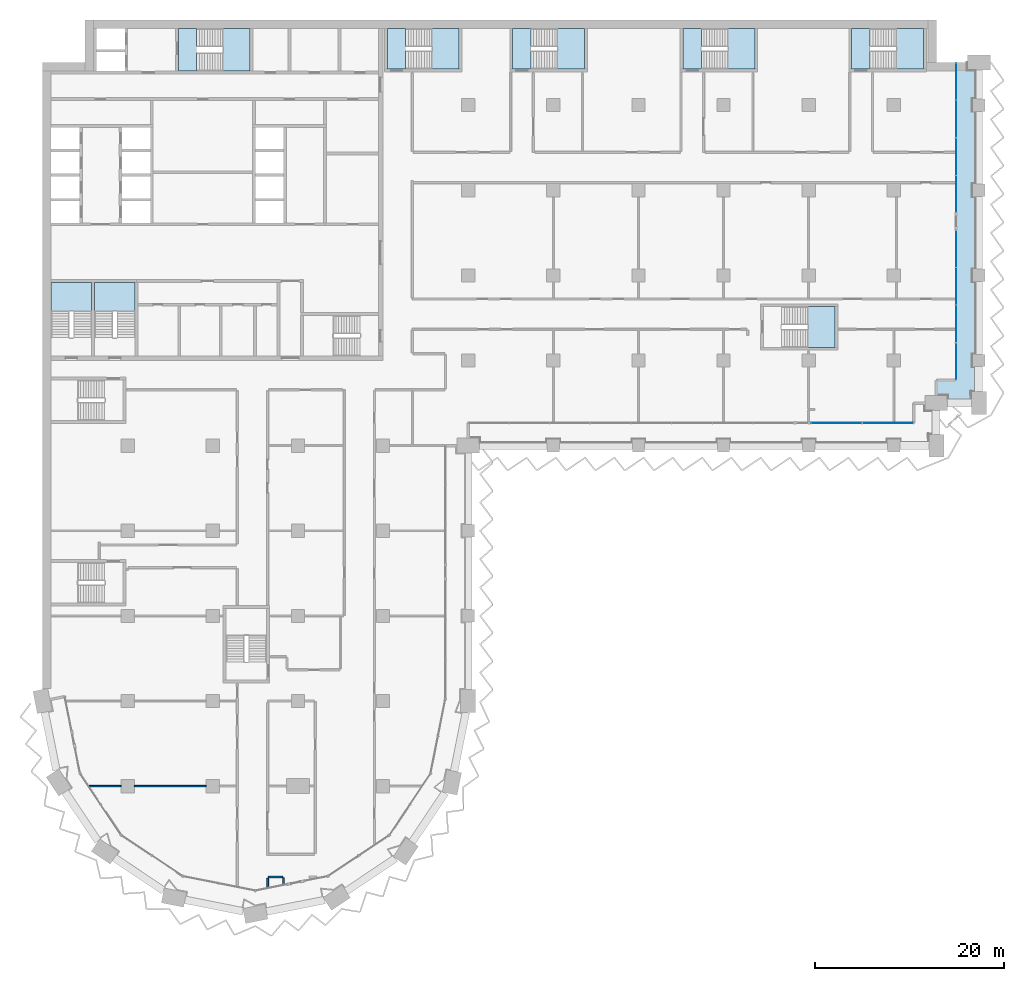
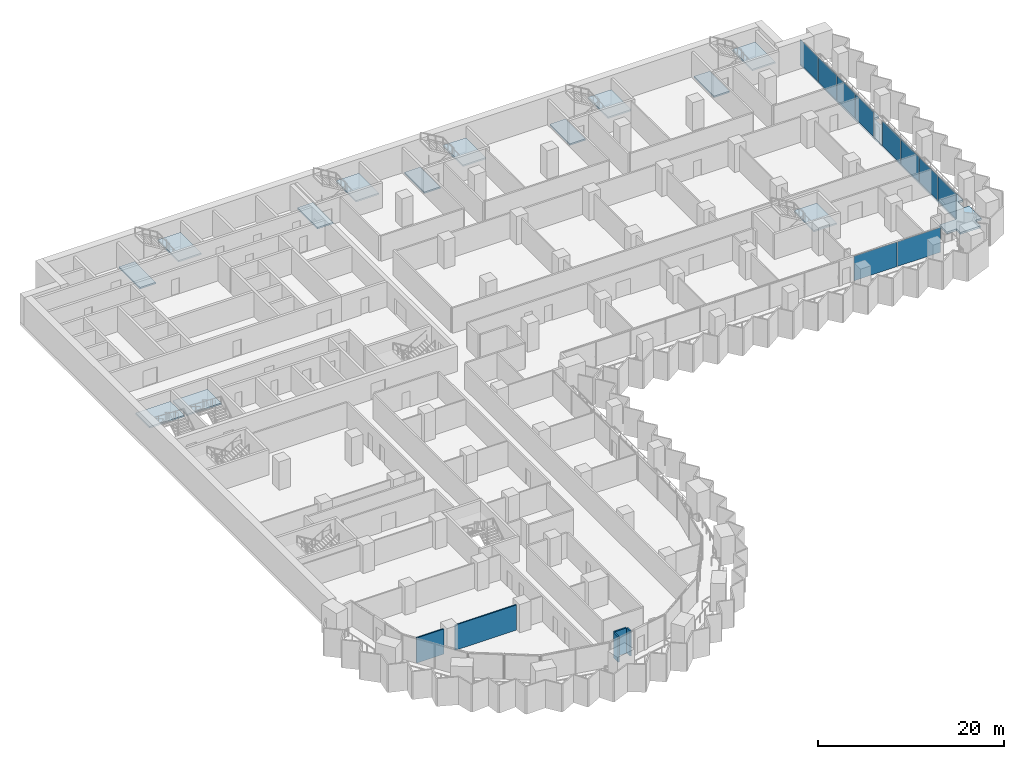
# One storey, part 9 of 28: 14 slabs, 10 plates, 5 walls, 11 elements without a shape of their own.
"""IFC4 building model written with IfcOpenShell, lengths in metres."""

from ifc_helpers import new_model, si_unit, direction, frame, frame_2d, origin, origin_2d, place, context, subcontext, project, spatial, polyline, rectangle, outline, extrude, material, layer, layer_set, type_object, element, aggregate, save


model = new_model("IFC4")

# Units and contexts
model_context = context("Model", 3, precision=1e-05, world=origin(), true_north=direction((0.0, 1.0)))
body_context = subcontext(model_context, "Body", "Model", "MODEL_VIEW")
ifc_project = project(units=[si_unit("LENGTHUNIT", "METRE"), si_unit("AREAUNIT", "SQUARE_METRE"), si_unit("VOLUMEUNIT", "CUBIC_METRE"), si_unit("PLANEANGLEUNIT", "RADIAN"), si_unit("MASSUNIT", "GRAM", prefix="KILO")], contexts=[model_context])

# Site, building, storey
site_placement = place(None, origin())
site = spatial("IfcSite", under=ifc_project, at=site_placement, CompositionType="ELEMENT")
building_placement = place(site_placement, origin())
building = spatial("IfcBuilding", under=site, at=building_placement, Name="Hunhe Ridgeline Campus", CompositionType="ELEMENT")
storey_placement = place(building_placement, frame((0.0, 0.0, 61.699951171875)))
storey = spatial("IfcBuildingStorey", under=building, at=storey_placement, Name="L14", CompositionType="ELEMENT", Elevation=61.699951171875)

# Curtain wall, plates
ifc_material_1 = material(Name="Aluminium 6063", Category="aluminium")
curtain_wall_type = type_object("IfcCurtainWallType", Name="Curtain wall CW-1", PredefinedType="NOTDEFINED", material=ifc_material_1)
curtain_wall_1_placement = place(storey_placement, origin())
curtain_wall_1 = element("IfcCurtainWall", 1, at=curtain_wall_1_placement, inside=storey, type_object=curtain_wall_type, Name="Curtain wall 14", PredefinedType="NOTDEFINED")
ifc_material_2 = material(Name="Low-e laminated glass", Category="glass")
ifc_layer_1 = layer(ifc_material_2, 0.028076171875)
ifc_layer_set_1 = layer_set([ifc_layer_1], Name="Curtain wall glass panel 28 low-e laminated")
plate_type = type_object("IfcPlateType", Name="Curtain wall glass panel 28 low-e laminated", PredefinedType="CURTAIN_PANEL", material=ifc_layer_set_1)
plate_1_placement = place(storey_placement, frame((83.957763671875, 56.40087890625, 0.0), z_axis=(0.0, 0.0, 1.0), x_axis=(0.999999999994, 3.58625e-06, 0.0)))
plate_1 = element("IfcPlate", 2, at=plate_1_placement, type_object=plate_type, Name="CW-1 panel 1", PredefinedType="CURTAIN_PANEL", context=body_context, shape_type="SweptSolid", body=[
    extrude(rectangle(XDim=5.347412109375, YDim=0.028076171875, at=origin_2d()), origin(), (0.0, 0.0, 1.0), 3.239990234375),
])
plate_2_placement = place(storey_placement, frame((89.365234375, 56.40087890625, 0.0), z_axis=(0.0, 0.0, 1.0), x_axis=(0.999999999994, 3.58625e-06, 0.0)))
plate_2 = element("IfcPlate", 3, at=plate_2_placement, type_object=plate_type, Name="CW-1 panel 2", PredefinedType="CURTAIN_PANEL", context=body_context, shape_type="SweptSolid", body=[
    extrude(rectangle(XDim=5.347412109375, YDim=0.028076171875, at=origin_2d()), origin(), (0.0, 0.0, 1.0), 3.239990234375),
])
aggregate(curtain_wall_1, [plate_1, plate_2])

curtain_wall_2_placement = place(storey_placement, origin())
curtain_wall_2 = element("IfcCurtainWall", 4, at=curtain_wall_2_placement, inside=storey, type_object=curtain_wall_type, Name="Curtain wall 15", PredefinedType="NOTDEFINED")
plate_3_placement = place(storey_placement, frame((96.59912109375, 62.9033203125, 0.0), z_axis=(0.0, 0.0, 1.0), x_axis=(0.0, 1.0, 0.0)))
plate_3 = element("IfcPlate", 5, at=plate_3_placement, type_object=plate_type, Name="CW-1 panel 1", PredefinedType="CURTAIN_PANEL", context=body_context, shape_type="SweptSolid", body=[
    extrude(rectangle(XDim=3.884765625, YDim=0.028076171875, at=origin_2d()), origin(), (0.0, 0.0, 1.0), 3.239990234375),
])
plate_4_placement = place(storey_placement, frame((96.59912109375, 66.86328125, 0.0), z_axis=(0.0, 0.0, 1.0), x_axis=(0.0, 1.0, 0.0)))
plate_4 = element("IfcPlate", 6, at=plate_4_placement, type_object=plate_type, Name="CW-1 panel 2", PredefinedType="CURTAIN_PANEL", context=body_context, shape_type="SweptSolid", body=[
    extrude(rectangle(XDim=3.914794921875, YDim=0.028076171875, at=origin_2d()), origin(), (0.0, 0.0, 1.0), 3.239990234375),
])
plate_5_placement = place(storey_placement, frame((96.59912109375, 70.838134765625, 0.0), z_axis=(0.0, 0.0, 1.0), x_axis=(0.0, 1.0, 0.0)))
plate_5 = element("IfcPlate", 7, at=plate_5_placement, type_object=plate_type, Name="CW-1 panel 3", PredefinedType="CURTAIN_PANEL", context=body_context, shape_type="SweptSolid", body=[
    extrude(rectangle(XDim=3.914794921875, YDim=0.028076171875, at=origin_2d()), origin(), (0.0, 0.0, 1.0), 3.239990234375),
])
plate_6_placement = place(storey_placement, frame((96.59912109375, 74.798095703125, 0.0), z_axis=(0.0, 0.0, 1.0), x_axis=(0.0, 1.0, 0.0)))
plate_6 = element("IfcPlate", 8, at=plate_6_placement, type_object=plate_type, Name="CW-1 panel 4", PredefinedType="CURTAIN_PANEL", context=body_context, shape_type="SweptSolid", body=[
    extrude(rectangle(XDim=3.884765625, YDim=0.028076171875, at=origin_2d()), origin(), (0.0, 0.0, 1.0), 3.239990234375),
])
aggregate(curtain_wall_2, [plate_3, plate_4, plate_5, plate_6])

curtain_wall_3_placement = place(storey_placement, origin())
curtain_wall_3 = element("IfcCurtainWall", 9, at=curtain_wall_3_placement, inside=storey, type_object=curtain_wall_type, Name="Curtain wall 16", PredefinedType="NOTDEFINED")
plate_7_placement = place(storey_placement, frame((96.59912109375, 80.60302734375, 0.0), z_axis=(0.0, 0.0, 1.0), x_axis=(0.0, 1.0, 0.0)))
plate_7 = element("IfcPlate", 10, at=plate_7_placement, type_object=plate_type, Name="CW-1 panel 1", PredefinedType="CURTAIN_PANEL", context=body_context, shape_type="SweptSolid", body=[
    extrude(rectangle(XDim=3.884765625, YDim=0.028076171875, at=origin_2d()), origin(), (0.0, 0.0, 1.0), 3.239990234375),
])
plate_8_placement = place(storey_placement, frame((96.59912109375, 84.562744140625, 0.0), z_axis=(0.0, 0.0, 1.0), x_axis=(0.0, 1.0, 0.0)))
plate_8 = element("IfcPlate", 11, at=plate_8_placement, type_object=plate_type, Name="CW-1 panel 2", PredefinedType="CURTAIN_PANEL", context=body_context, shape_type="SweptSolid", body=[
    extrude(rectangle(XDim=3.914794921875, YDim=0.028076171875, at=origin_2d()), origin(), (0.0, 0.0, 1.0), 3.239990234375),
])
plate_9_placement = place(storey_placement, frame((96.59912109375, 88.53759765625, 0.0), z_axis=(0.0, 0.0, 1.0), x_axis=(0.0, 1.0, 0.0)))
plate_9 = element("IfcPlate", 12, at=plate_9_placement, type_object=plate_type, Name="CW-1 panel 3", PredefinedType="CURTAIN_PANEL", context=body_context, shape_type="SweptSolid", body=[
    extrude(rectangle(XDim=3.914794921875, YDim=0.028076171875, at=origin_2d()), origin(), (0.0, 0.0, 1.0), 3.239990234375),
])
plate_10_placement = place(storey_placement, frame((96.59912109375, 92.49755859375, 0.0), z_axis=(0.0, 0.0, 1.0), x_axis=(0.0, 1.0, 0.0)))
plate_10 = element("IfcPlate", 13, at=plate_10_placement, type_object=plate_type, Name="CW-1 panel 4", PredefinedType="CURTAIN_PANEL", context=body_context, shape_type="SweptSolid", body=[
    extrude(rectangle(XDim=3.884765625, YDim=0.028076171875, at=origin_2d()), origin(), (0.0, 0.0, 1.0), 3.239990234375),
])
aggregate(curtain_wall_3, [plate_7, plate_8, plate_9, plate_10])

# Slab
ifc_material_3 = material(Name="Concrete C40", Category="concrete")
ifc_layer_2 = layer(ifc_material_3, 0.25)
ifc_layer_set_2 = layer_set([ifc_layer_2], Name="Loggia slab 250 Concrete C40")
slab_type_1 = type_object("IfcSlabType", Name="Loggia slab 250 Concrete C40", PredefinedType="FLOOR", material=ifc_layer_set_2)
slab_1_placement = place(storey_placement, frame((0.0, 0.0, -0.25)))
element("IfcSlab", 14, at=slab_1_placement, inside=storey, type_object=slab_type_1, Name="Loggia slab 3", PredefinedType="FLOOR", context=body_context, shape_type="SweptSolid", body=[
    extrude(outline(polyline([(94.5, 59.300048828125), (95.699951171875, 59.300048828125), (95.699951171875, 58.5), (98.199951171875, 58.5), (98.199951171875, 59.699951171875), (99.0, 59.699951171875), (99.0, 62.35009765625), (98.35009765625, 62.35009765625), (98.35009765625, 63.64990234375), (99.0, 63.64990234375), (99.0, 71.35009765625), (98.35009765625, 71.35009765625), (98.35009765625, 72.64990234375), (99.0, 72.64990234375), (99.0, 80.35009765625), (98.35009765625, 80.35009765625), (98.35009765625, 81.64990234375), (99.0, 81.64990234375), (99.0, 89.35009765625), (98.35009765625, 89.35009765625), (98.35009765625, 90.64990234375), (99.0, 90.64990234375), (99.0, 93.699951171875), (97.800048828125, 93.699951171875), (97.800048828125, 94.5), (96.60009765625, 94.5), (96.60009765625, 60.89990234375), (94.5, 60.89990234375), (94.5, 59.300048828125)])), origin(), (0.0, 0.0, 1.0), 0.25),
])

# Stair, slab
stair_type = type_object("IfcStairType", Name="Reinforced concrete dog-leg stair 1950 Concrete C40", PredefinedType="HALF_TURN_STAIR", material=ifc_material_3)
stair_1_placement = place(storey_placement, origin())
stair_1 = element("IfcStair", 15, at=stair_1_placement, inside=storey, type_object=stair_type, Name="L14 S1", PredefinedType="HALF_TURN_STAIR")
ifc_layer_3 = layer(ifc_material_3, 0.199951171875)
ifc_layer_set_3 = layer_set([ifc_layer_3], Name="Reinforced concrete stair landing 200 Concrete C40")
slab_type_2 = type_object("IfcSlabType", Name="Reinforced concrete stair landing 200 Concrete C40", PredefinedType="LANDING", material=ifc_layer_set_3)
slab_2_placement = place(storey_placement, frame((0.0, 0.0, 1.650146484375)))
slab_2 = element("IfcSlab", 16, at=slab_2_placement, type_object=slab_type_2, Name="ST1 landing 1", PredefinedType="LANDING", context=body_context, shape_type="SweptSolid", body=[
    extrude(outline(polyline([(19.10009765625, 93.60009765625), (21.949951171875, 93.60009765625), (21.949951171875, 98.10009765625), (19.10009765625, 98.10009765625), (19.10009765625, 93.60009765625)])), origin(), (0.0, 0.0, 1.0), 0.199951171875),
])
aggregate(stair_1, [slab_2])

# Slab
slab_3_placement = place(storey_placement, frame((0.0, 0.0, -0.199951171875)))
element("IfcSlab", 17, at=slab_3_placement, inside=storey, type_object=slab_type_2, Name="L14 stair S1 floor landing", PredefinedType="LANDING", context=body_context, shape_type="SweptSolid", body=[
    extrude(outline(polyline([(14.35009765625, 93.60009765625), (16.300048828125, 93.60009765625), (16.300048828125, 98.10009765625), (14.35009765625, 98.10009765625), (14.35009765625, 93.60009765625)])), origin(), (0.0, 0.0, 1.0), 0.199951171875),
])

# Stair, slab
stair_2_placement = place(storey_placement, origin())
stair_2 = element("IfcStair", 18, at=stair_2_placement, inside=storey, type_object=stair_type, Name="L14 S3", PredefinedType="HALF_TURN_STAIR")
slab_4_placement = place(storey_placement, frame((0.0, 0.0, 1.650146484375)))
slab_4 = element("IfcSlab", 19, at=slab_4_placement, type_object=slab_type_2, Name="ST3 landing 1", PredefinedType="LANDING", context=body_context, shape_type="SweptSolid", body=[
    extrude(outline(polyline([(5.199951171875, 68.25), (5.199951171875, 71.25), (0.89990234375, 71.25), (0.89990234375, 68.25), (5.199951171875, 68.25)])), origin(), (0.0, 0.0, 1.0), 0.199951171875),
])
aggregate(stair_2, [slab_4])

stair_3_placement = place(storey_placement, origin())
stair_3 = element("IfcStair", 20, at=stair_3_placement, inside=storey, type_object=stair_type, Name="L14 S4", PredefinedType="HALF_TURN_STAIR")
slab_5_placement = place(storey_placement, frame((0.0, 0.0, 1.650146484375)))
slab_5 = element("IfcSlab", 21, at=slab_5_placement, type_object=slab_type_2, Name="ST4 landing 1", PredefinedType="LANDING", context=body_context, shape_type="SweptSolid", body=[
    extrude(outline(polyline([(9.800048828125, 68.25), (9.800048828125, 71.25), (5.5, 71.25), (5.5, 68.25), (9.800048828125, 68.25)])), origin(), (0.0, 0.0, 1.0), 0.199951171875),
])
aggregate(stair_3, [slab_5])

stair_4_placement = place(storey_placement, origin())
stair_4 = element("IfcStair", 22, at=stair_4_placement, inside=storey, type_object=stair_type, Name="L14 E1", PredefinedType="HALF_TURN_STAIR")
slab_6_placement = place(storey_placement, frame((0.0, 0.0, 1.650146484375)))
slab_6 = element("IfcSlab", 23, at=slab_6_placement, type_object=slab_type_2, Name="ST5 landing 1", PredefinedType="LANDING", context=body_context, shape_type="SweptSolid", body=[
    extrude(outline(polyline([(41.199951171875, 93.800048828125), (44.050048828125, 93.800048828125), (44.050048828125, 98.10009765625), (41.199951171875, 98.10009765625), (41.199951171875, 93.800048828125)])), origin(), (0.0, 0.0, 1.0), 0.199951171875),
])
aggregate(stair_4, [slab_6])

# Slab
slab_7_placement = place(storey_placement, frame((0.0, 0.0, -0.199951171875)))
element("IfcSlab", 24, at=slab_7_placement, inside=storey, type_object=slab_type_2, Name="L14 stair E1 floor landing", PredefinedType="LANDING", context=body_context, shape_type="SweptSolid", body=[
    extrude(outline(polyline([(36.449951171875, 93.800048828125), (38.39990234375, 93.800048828125), (38.39990234375, 98.10009765625), (36.449951171875, 98.10009765625), (36.449951171875, 93.800048828125)])), origin(), (0.0, 0.0, 1.0), 0.199951171875),
])

# Stair, slab
stair_5_placement = place(storey_placement, origin())
stair_5 = element("IfcStair", 25, at=stair_5_placement, inside=storey, type_object=stair_type, Name="L14 E2", PredefinedType="HALF_TURN_STAIR")
slab_8_placement = place(storey_placement, frame((0.0, 0.0, 1.650146484375)))
slab_8 = element("IfcSlab", 26, at=slab_8_placement, type_object=slab_type_2, Name="ST6 landing 1", PredefinedType="LANDING", context=body_context, shape_type="SweptSolid", body=[
    extrude(outline(polyline([(54.449951171875, 93.800048828125), (57.300048828125, 93.800048828125), (57.300048828125, 98.10009765625), (54.449951171875, 98.10009765625), (54.449951171875, 93.800048828125)])), origin(), (0.0, 0.0, 1.0), 0.199951171875),
])
aggregate(stair_5, [slab_8])

# Slab
slab_9_placement = place(storey_placement, frame((0.0, 0.0, -0.199951171875)))
element("IfcSlab", 27, at=slab_9_placement, inside=storey, type_object=slab_type_2, Name="L14 stair E2 floor landing", PredefinedType="LANDING", context=body_context, shape_type="SweptSolid", body=[
    extrude(outline(polyline([(49.699951171875, 93.800048828125), (51.64990234375, 93.800048828125), (51.64990234375, 98.10009765625), (49.699951171875, 98.10009765625), (49.699951171875, 93.800048828125)])), origin(), (0.0, 0.0, 1.0), 0.199951171875),
])

# Stair, slab
stair_6_placement = place(storey_placement, origin())
stair_6 = element("IfcStair", 28, at=stair_6_placement, inside=storey, type_object=stair_type, Name="L14 E3", PredefinedType="HALF_TURN_STAIR")
slab_10_placement = place(storey_placement, frame((0.0, 0.0, 1.650146484375)))
slab_10 = element("IfcSlab", 29, at=slab_10_placement, type_object=slab_type_2, Name="ST7 landing 1", PredefinedType="LANDING", context=body_context, shape_type="SweptSolid", body=[
    extrude(outline(polyline([(72.449951171875, 93.800048828125), (75.300048828125, 93.800048828125), (75.300048828125, 98.10009765625), (72.449951171875, 98.10009765625), (72.449951171875, 93.800048828125)])), origin(), (0.0, 0.0, 1.0), 0.199951171875),
])
aggregate(stair_6, [slab_10])

# Slab
slab_11_placement = place(storey_placement, frame((0.0, 0.0, -0.199951171875)))
element("IfcSlab", 30, at=slab_11_placement, inside=storey, type_object=slab_type_2, Name="L14 stair E3 floor landing", PredefinedType="LANDING", context=body_context, shape_type="SweptSolid", body=[
    extrude(outline(polyline([(67.699951171875, 93.800048828125), (69.64990234375, 93.800048828125), (69.64990234375, 98.10009765625), (67.699951171875, 98.10009765625), (67.699951171875, 93.800048828125)])), origin(), (0.0, 0.0, 1.0), 0.199951171875),
])

# Stair, slab
stair_7_placement = place(storey_placement, origin())
stair_7 = element("IfcStair", 31, at=stair_7_placement, inside=storey, type_object=stair_type, Name="L14 E4", PredefinedType="HALF_TURN_STAIR")
slab_12_placement = place(storey_placement, frame((0.0, 0.0, 1.650146484375)))
slab_12 = element("IfcSlab", 32, at=slab_12_placement, type_object=slab_type_2, Name="ST8 landing 1", PredefinedType="LANDING", context=body_context, shape_type="SweptSolid", body=[
    extrude(outline(polyline([(90.300048828125, 93.800048828125), (93.14990234375, 93.800048828125), (93.14990234375, 98.10009765625), (90.300048828125, 98.10009765625), (90.300048828125, 93.800048828125)])), origin(), (0.0, 0.0, 1.0), 0.199951171875),
])
aggregate(stair_7, [slab_12])

# Slab
slab_13_placement = place(storey_placement, frame((0.0, 0.0, -0.199951171875)))
element("IfcSlab", 33, at=slab_13_placement, inside=storey, type_object=slab_type_2, Name="L14 stair E4 floor landing", PredefinedType="LANDING", context=body_context, shape_type="SweptSolid", body=[
    extrude(outline(polyline([(85.550048828125, 93.800048828125), (87.5, 93.800048828125), (87.5, 98.10009765625), (85.550048828125, 98.10009765625), (85.550048828125, 93.800048828125)])), origin(), (0.0, 0.0, 1.0), 0.199951171875),
])

# Stair, slab
stair_8_placement = place(storey_placement, origin())
stair_8 = element("IfcStair", 34, at=stair_8_placement, inside=storey, type_object=stair_type, Name="L14 E5", PredefinedType="HALF_TURN_STAIR")
slab_14_placement = place(storey_placement, frame((0.0, 0.0, 1.650146484375)))
slab_14 = element("IfcSlab", 35, at=slab_14_placement, type_object=slab_type_2, Name="ST10 landing 1", PredefinedType="LANDING", context=body_context, shape_type="SweptSolid", body=[
    extrude(outline(polyline([(80.949951171875, 64.39990234375), (83.800048828125, 64.39990234375), (83.800048828125, 68.699951171875), (80.949951171875, 68.699951171875), (80.949951171875, 64.39990234375)])), origin(), (0.0, 0.0, 1.0), 0.199951171875),
])
aggregate(stair_8, [slab_14])

# Walls
ifc_material_4 = material(Name="Gypsum board partition")
ifc_layer_4 = layer(ifc_material_4, 0.199951171875)
ifc_layer_set_4 = layer_set([ifc_layer_4], Name="Corridor partition 200 gypsum board on steel studs")
wall_type_1 = type_object("IfcWallType", Name="Corridor partition 200 gypsum board on steel studs", PredefinedType="PARTITIONING", material=ifc_layer_set_4)
wall_1_placement = place(storey_placement, frame((25.3779296875, 8.389892578125, 0.0), z_axis=(0.0, 0.0, 1.0), x_axis=(-1.0, 0.0, 0.0)))
element("IfcWall", 36, at=wall_1_placement, inside=storey, type_object=wall_type_1, Name="F-L14-wall-001", PredefinedType="PARTITIONING", context=body_context, shape_type="SweptSolid", body=[
    extrude(rectangle(XDim=1.52783203125, YDim=0.199951171875, at=frame_2d((0.763916015625, 0.0))), origin(), (0.0, 0.0, 1.0), 3.300048828125),
])
wall_2_placement = place(storey_placement, frame((23.800048828125, 8.240478515625, 0.0), z_axis=(0.0, 0.0, 1.0), x_axis=(0.0, -1.0, 0.0)))
element("IfcWall", 37, at=wall_2_placement, inside=storey, type_object=wall_type_1, Name="F-L14-wall-052", PredefinedType="PARTITIONING", context=body_context, shape_type="SweptSolid", body=[
    extrude(rectangle(XDim=0.978759765625, YDim=0.199951171875, at=frame_2d((0.4892578125, 0.0))), origin(), (0.0, 0.0, 1.0), 3.300048828125),
])
wall_3_placement = place(storey_placement, frame((25.47802734375, 7.595458984375, 0.0), z_axis=(0.0, 0.0, 1.0), x_axis=(0.0, 1.0, 0.0)))
element("IfcWall", 38, at=wall_3_placement, inside=storey, type_object=wall_type_1, Name="F-L14-wall-055", PredefinedType="PARTITIONING", context=body_context, shape_type="SweptSolid", body=[
    extrude(rectangle(XDim=0.694580078125, YDim=0.199951171875, at=frame_2d((0.34716796875, 0.0))), origin(), (0.0, 0.0, 1.0), 3.300048828125),
])
ifc_layer_5 = layer(ifc_material_4, 0.14990234375)
ifc_layer_set_5 = layer_set([ifc_layer_5], Name="Room partition 150 gypsum board on steel studs")
wall_type_2 = type_object("IfcWallType", Name="Room partition 150 gypsum board on steel studs", PredefinedType="PARTITIONING", material=ifc_layer_set_5)
wall_4_placement = place(storey_placement, frame((4.925537109375, 18.0, 0.0), z_axis=(0.0, 0.0, 1.0), x_axis=(1.0, 0.0, 0.0)))
element("IfcWall", 39, at=wall_4_placement, inside=storey, type_object=wall_type_2, Name="F-L14-wall-004", PredefinedType="PARTITIONING", context=body_context, shape_type="SweptSolid", body=[
    extrude(rectangle(XDim=3.37451171875, YDim=0.14990234375, at=frame_2d((1.687255859375, 0.0))), origin(), (0.0, 0.0, 1.0), 3.300048828125),
])
wall_5_placement = place(storey_placement, frame((9.699951171875, 18.0, 0.0), z_axis=(0.0, 0.0, 1.0), x_axis=(1.0, 0.0, 0.0)))
element("IfcWall", 40, at=wall_5_placement, inside=storey, type_object=wall_type_2, Name="F-L14-wall-005", PredefinedType="PARTITIONING", context=body_context, shape_type="SweptSolid", body=[
    extrude(rectangle(XDim=7.60009765625, YDim=0.14990234375, at=frame_2d((3.800048828125, 0.0))), origin(), (0.0, 0.0, 1.0), 3.300048828125),
])

save(model, "model.ifc")
